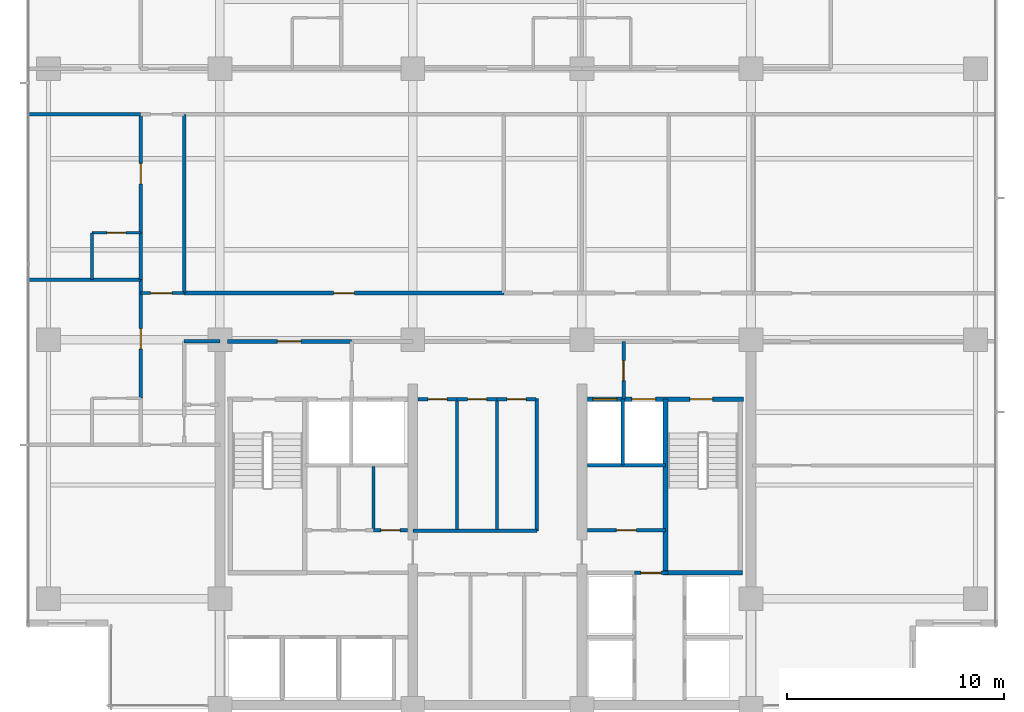
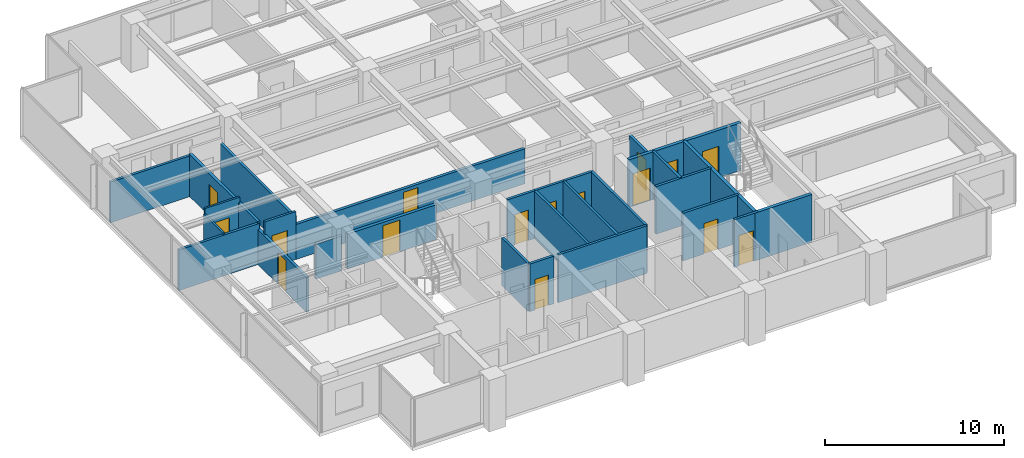
# One storey, part 8 of 15: 29 walls, 16 doors, 16 openings.
"""IFC4 building model written with IfcOpenShell, lengths in metres."""

from ifc_helpers import new_model, si_unit, direction, frame, frame_2d, origin, place, context, subcontext, project, spatial, rectangle, extrude, material, layer, layer_set, type_object, element, fill, save


model = new_model("IFC4")

# Units and contexts
model_context = context("Model", 3, precision=1e-05, world=origin(), true_north=direction((0.0, 1.0)))
body_context = subcontext(model_context, "Body", "Model", "MODEL_VIEW")
ifc_project = project(units=[si_unit("LENGTHUNIT", "METRE"), si_unit("AREAUNIT", "SQUARE_METRE"), si_unit("VOLUMEUNIT", "CUBIC_METRE"), si_unit("PLANEANGLEUNIT", "RADIAN"), si_unit("MASSUNIT", "GRAM", prefix="KILO")], contexts=[model_context])

# Site, building, storey
site_placement = place(None, origin())
site = spatial("IfcSite", under=ifc_project, at=site_placement, CompositionType="ELEMENT")
building_placement = place(site_placement, origin())
building = spatial("IfcBuilding", under=site, at=building_placement, Name="Qalmaran Belvedere Hotel", CompositionType="ELEMENT")
storey_placement = place(building_placement, frame((0.0, 0.0, 163.10009765625)))
storey = spatial("IfcBuildingStorey", under=building, at=storey_placement, Name="L41", CompositionType="ELEMENT", Elevation=163.10009765625)

# Wall, opening, door
ifc_material_1 = material(Name="Moisture-Resistant Gypsum")
ifc_layer_1 = layer(ifc_material_1, 0.1201171875, Name="Moisture-Resistant Gypsum")
ifc_layer_set_1 = layer_set([ifc_layer_1], Name="Moisture-Resistant Gypsum")
wall_type_1 = type_object("IfcWallType", Name="WL-INT-120-BATH", PredefinedType="PARTITIONING", material=ifc_layer_set_1)
wall_1_placement = place(storey_placement, frame((14.39990234375, 25.425048828125, 0.0), z_axis=(0.0, 0.0, 1.0), x_axis=(1.0, 0.0, 0.0)))
wall_1 = element("IfcWall", 1, at=wall_1_placement, inside=storey, type_object=wall_type_1, Name="L41 Partition WL-L41-WBN01", PredefinedType="PARTITIONING", context=body_context, shape_type="SweptSolid", body=[
    extrude(rectangle(XDim=2.25, YDim=0.1201171875, at=frame_2d((1.125, 0.0))), origin(), (0.0, 0.0, 1.0), 3.25),
])
opening_1_placement = place(wall_1_placement, frame((1.56494140625, 0.0, 0.0), z_axis=(0.0, 0.0, 1.0), x_axis=(-1.0, 0.0, 0.0)))
opening_1 = element("IfcOpeningElement", 2, at=opening_1_placement, cuts=wall_1, Name="Opening D-BATH", PredefinedType="OPENING", context=body_context, shape_type="SweptSolid", body=[
    extrude(rectangle(XDim=0.8798828125, YDim=2.080078125, at=frame_2d((0.43994140625, 1.0400390625))), frame((0.0, 0.070068359375, 0.0), z_axis=(0.0, -1.0, 0.0), x_axis=(1.0, 0.0, 0.0)), (0.0, 0.0, 1.0), 0.14013671875),
])
ifc_material_2 = material(Name="Engineered Oak Veneer")
door_type_1 = type_object("IfcDoorType", Name="DR-INT-BATH-880X2080", OperationType="NOTDEFINED", PredefinedType="DOOR", material=ifc_material_2)
door_1_placement = place(opening_1_placement, origin())
door_1 = element("IfcDoor", 3, at=door_1_placement, inside=storey, type_object=door_type_1, Name="L41 W Ensuite Door 02", OperationType="SINGLE_SWING_LEFT", OverallHeight=2.080078125, OverallWidth=0.8798828125, PredefinedType="DOOR", context=body_context, shape_type="SweptSolid", body=[
    extrude(rectangle(XDim=0.8798828125, YDim=2.080078125, at=frame_2d((0.43994140625, 1.0400390625))), frame((0.0, 0.02490234375, 0.0), z_axis=(0.0, -1.0, 0.0), x_axis=(1.0, 0.0, 0.0)), (0.0, 0.0, 1.0), 0.050048828125),
])
fill(opening_1, door_1)

# Walls
wall_2_placement = place(storey_placement, frame((14.39990234375, 23.27490234375, 0.0), z_axis=(0.0, 0.0, 1.0), x_axis=(0.0, 1.0, 0.0)))
element("IfcWall", 4, at=wall_2_placement, inside=storey, type_object=wall_type_1, Name="L41 Partition WL-L41-WBS01", PredefinedType="PARTITIONING", context=body_context, shape_type="SweptSolid", body=[
    extrude(rectangle(XDim=2.150146484375, YDim=0.1201171875, at=frame_2d((1.0751953125, 0.0))), origin(), (0.0, 0.0, 1.0), 2.880859375),
])
ifc_material_3 = material(Name="Gypsum Stud Partition")
ifc_layer_2 = layer(ifc_material_3, 0.14990234375, Name="Gypsum Stud Partition")
ifc_layer_set_2 = layer_set([ifc_layer_2], Name="Gypsum Stud Partition")
wall_type_2 = type_object("IfcWallType", Name="WL-INT-150-EI120", PredefinedType="PARTITIONING", material=ifc_layer_set_2)
wall_3_placement = place(storey_placement, frame((38.8798828125, 14.719970703125, 0.0), z_axis=(0.0, 0.0, 1.0), x_axis=(0.0, 1.0, 0.0)))
element("IfcWall", 5, at=wall_3_placement, inside=storey, type_object=wall_type_2, Name="L41 Partition WL-FF2M-L41", PredefinedType="PARTITIONING", context=body_context, shape_type="SweptSolid", body=[
    extrude(rectangle(XDim=3.0400390625, YDim=0.14990234375, at=frame_2d((1.52001953125, 0.0))), origin(), (0.0, 0.0, 1.0), 3.25),
])
ifc_layer_3 = layer(ifc_material_3, 0.14990234375, Name="Gypsum Stud Partition")
ifc_layer_set_3 = layer_set([ifc_layer_3], Name="Gypsum Stud Partition")
wall_type_3 = type_object("IfcWallType", Name="WL-INT-150-EI60", PredefinedType="PARTITIONING", material=ifc_layer_set_3)
wall_4_placement = place(storey_placement, frame((27.38916015625, 11.719970703125, 0.0), z_axis=(0.0, 0.0, 1.0), x_axis=(0.0, 1.0, 0.0)))
element("IfcWall", 6, at=wall_4_placement, inside=storey, type_object=wall_type_3, Name="L41 Partition WL-L41-KWV2", PredefinedType="PARTITIONING", context=body_context, shape_type="SweptSolid", body=[
    extrude(rectangle(XDim=2.929931640625, YDim=0.14990234375, at=frame_2d((1.46484375, 0.0))), origin(), (0.0, 0.0, 1.0), 3.25),
])
for number, where, z_axis, x_axis, name in (
    (7, (31.241943359375, 11.739990234375, 0.0), (0.0, 0.0, 1.0), (0.0, 1.0, 0.0), "L41 Partition WL-L41-KPMV1"),
    (8, (33.088134765625, 11.739990234375, 0.0), (0.0, 0.0, 1.0), (0.0, 1.0, 0.0), "L41 Partition WL-L41-KPMV2"),
):
    element("IfcWall", number, at=place(storey_placement, frame(where, z_axis=z_axis, x_axis=x_axis)), inside=storey, type_object=wall_type_3, Name=name, PredefinedType="PARTITIONING", context=body_context, shape_type="SweptSolid", body=[
        extrude(rectangle(XDim=6.010009765625, YDim=0.14990234375, at=frame_2d((3.0048828125, 0.0))), origin(), (0.0, 0.0, 1.0), 3.25),
    ])

# Wall, opening, door
wall_5_placement = place(storey_placement, frame((16.64990234375, 22.64990234375, 0.0), z_axis=(0.0, 0.0, 1.0), x_axis=(1.0, 0.0, 0.0)))
wall_5 = element("IfcWall", 9, at=wall_5_placement, inside=storey, type_object=wall_type_3, Name="L41 Partition WL-L41-XCW1", PredefinedType="PARTITIONING", context=body_context, shape_type="SweptSolid", body=[
    extrude(rectangle(XDim=2.0, YDim=0.14990234375, at=frame_2d((1.0, 0.0))), origin(), (0.0, 0.0, 1.0), 3.25),
])
opening_2_placement = place(wall_5_placement, frame((0.449951171875, 0.0, 0.0)))
opening_2 = element("IfcOpeningElement", 10, at=opening_2_placement, cuts=wall_5, Name="Opening FD90B", PredefinedType="OPENING", context=body_context, shape_type="SweptSolid", body=[
    extrude(rectangle(XDim=1.0, YDim=2.14990234375, at=frame_2d((0.5, 1.074951171875))), frame((0.0, 0.0849609375, 0.0), z_axis=(0.0, -1.0, 0.0), x_axis=(1.0, 0.0, 0.0)), (0.0, 0.0, 1.0), 0.169921875),
])
ifc_material_4 = material(Name="Steel S355JR", Category="steel")
door_type_2 = type_object("IfcDoorType", Name="DR-FD90B-1000X2150", OperationType="NOTDEFINED", PredefinedType="DOOR", material=ifc_material_4)
door_2_placement = place(opening_2_placement, origin())
door_2 = element("IfcDoor", 11, at=door_2_placement, inside=storey, type_object=door_type_2, Name="L41 West Corridor Smoke Door S", OperationType="SINGLE_SWING_LEFT", OverallHeight=2.14990234375, OverallWidth=1.0, PredefinedType="DOOR", context=body_context, shape_type="SweptSolid", body=[
    extrude(rectangle(XDim=1.0, YDim=2.14990234375, at=frame_2d((0.5, 1.074951171875))), frame((0.0, 0.02490234375, 0.0), z_axis=(0.0, -1.0, 0.0), x_axis=(1.0, 0.0, 0.0)), (0.0, 0.0, 1.0), 0.050048828125),
])
fill(opening_2, door_2)

ifc_layer_4 = layer(ifc_material_3, 0.159912109375, Name="Gypsum Stud Partition")
ifc_layer_set_4 = layer_set([ifc_layer_4], Name="Gypsum Stud Partition")
wall_type_4 = type_object("IfcWallType", Name="WL-INT-160-EI120", PredefinedType="PARTITIONING", material=ifc_layer_set_4)
wall_6_placement = place(storey_placement, frame((38.919921875, 17.760009765625, 0.0), z_axis=(0.0, 0.0, 1.0), x_axis=(0.0, 1.0, 0.0)))
wall_6 = element("IfcWall", 12, at=wall_6_placement, inside=storey, type_object=wall_type_4, Name="L41 Partition WL-FFSV2-L41", PredefinedType="PARTITIONING", context=body_context, shape_type="SweptSolid", body=[
    extrude(rectangle(XDim=2.659912109375, YDim=0.159912109375, at=frame_2d((1.330078125, 0.0))), origin(), (0.0, 0.0, 1.0), 2.69189453125),
])
opening_3_placement = place(wall_6_placement, frame((1.77001953125, 0.0, 0.0), z_axis=(0.0, 0.0, 1.0), x_axis=(-1.0, 0.0, 0.0)))
opening_3 = element("IfcOpeningElement", 13, at=opening_3_placement, cuts=wall_6, Name="Opening FD60S1", PredefinedType="OPENING", context=body_context, shape_type="SweptSolid", body=[
    extrude(rectangle(XDim=0.919921875, YDim=2.080078125, at=frame_2d((0.4599609375, 1.0400390625))), frame((0.0, 0.08984375, 0.0), z_axis=(0.0, -1.0, 0.0), x_axis=(1.0, 0.0, 0.0)), (0.0, 0.0, 1.0), 0.179931640625),
])
door_type_3 = type_object("IfcDoorType", Name="DR-FD60S-920X2080", OperationType="NOTDEFINED", PredefinedType="DOOR", material=ifc_material_2)
door_3_placement = place(opening_3_placement, origin())
door_3 = element("IfcDoor", 14, at=door_3_placement, inside=storey, type_object=door_type_3, Name="L41 Service Lobby East Door", OperationType="SINGLE_SWING_RIGHT", OverallHeight=2.080078125, OverallWidth=0.919921875, PredefinedType="DOOR", context=body_context, shape_type="SweptSolid", body=[
    extrude(rectangle(XDim=0.919921875, YDim=2.080078125, at=frame_2d((0.4599609375, 1.0400390625))), frame((0.0, 0.02490234375, 0.0), z_axis=(0.0, -1.0, 0.0), x_axis=(1.0, 0.0, 0.0)), (0.0, 0.0, 1.0), 0.050048828125),
])
fill(opening_3, door_3)

# Wall
wall_7_placement = place(storey_placement, frame((37.25, 14.719970703125, 0.0), z_axis=(0.0, 0.0, 1.0), x_axis=(1.0, 0.0, 0.0)))
element("IfcWall", 15, at=wall_7_placement, inside=storey, type_object=wall_type_4, Name="L41 Partition WL-FF2S-L41", PredefinedType="PARTITIONING", context=body_context, shape_type="SweptSolid", body=[
    extrude(rectangle(XDim=3.610107421875, YDim=0.159912109375, at=frame_2d((1.80517578125, 0.0))), origin(), (0.0, 0.0, 1.0), 3.25),
])

# Wall, opening, door
wall_8_placement = place(storey_placement, frame((39.419921875, 9.739990234375, 0.0), z_axis=(0.0, 0.0, 1.0), x_axis=(1.0, 0.0, 0.0)))
wall_8 = element("IfcWall", 16, at=wall_8_placement, inside=storey, type_object=wall_type_4, Name="L41 Partition WL-PHNL-L41", PredefinedType="PARTITIONING", context=body_context, shape_type="SweptSolid", body=[
    extrude(rectangle(XDim=1.56005859375, YDim=0.159912109375, at=frame_2d((0.780029296875, 0.0))), origin(), (0.0, 0.0, 1.0), 3.25),
])
opening_4_placement = place(wall_8_placement, frame((0.300048828125, 0.0, 0.0)))
opening_4 = element("IfcOpeningElement", 17, at=opening_4_placement, cuts=wall_8, Name="Opening FD60S1", PredefinedType="OPENING", context=body_context, shape_type="SweptSolid", body=[
    extrude(rectangle(XDim=0.919921875, YDim=2.080078125, at=frame_2d((0.4599609375, 1.0400390625))), frame((0.0, 0.08984375, 0.0), z_axis=(0.0, -1.0, 0.0), x_axis=(1.0, 0.0, 0.0)), (0.0, 0.0, 1.0), 0.179931640625),
])
door_4_placement = place(opening_4_placement, origin())
door_4 = element("IfcDoor", 18, at=door_4_placement, inside=storey, type_object=door_type_3, Name="L41 High-Rise Lift Lobby Passage Door", OperationType="SINGLE_SWING_LEFT", OverallHeight=2.080078125, OverallWidth=0.919921875, PredefinedType="DOOR", context=body_context, shape_type="SweptSolid", body=[
    extrude(rectangle(XDim=0.919921875, YDim=2.080078125, at=frame_2d((0.4599609375, 1.0400390625))), frame((0.0, 0.02490234375, 0.0), z_axis=(0.0, -1.0, 0.0), x_axis=(1.0, 0.0, 0.0)), (0.0, 0.0, 1.0), 0.050048828125),
])
fill(opening_4, door_4)

ifc_layer_5 = layer(ifc_material_3, 0.159912109375, Name="Gypsum Stud Partition")
ifc_layer_set_5 = layer_set([ifc_layer_5], Name="Gypsum Stud Partition")
wall_type_5 = type_object("IfcWallType", Name="WL-INT-160-EI60", PredefinedType="PARTITIONING", material=ifc_layer_set_5)
wall_9_placement = place(storey_placement, frame((27.38916015625, 11.719970703125, 0.0), z_axis=(0.0, 0.0, 1.0), x_axis=(1.0, 0.0, 0.0)))
wall_9 = element("IfcWall", 19, at=wall_9_placement, inside=storey, type_object=wall_type_5, Name="L41 Partition WL-L41-KWE3", PredefinedType="PARTITIONING", context=body_context, shape_type="SweptSolid", body=[
    extrude(rectangle(XDim=1.560791015625, YDim=0.159912109375, at=frame_2d((0.7802734375, 0.0))), origin(), (0.0, 0.0, 1.0), 3.25),
])
opening_5_placement = place(wall_9_placement, frame((0.340576171875, 0.0, 0.0)))
opening_5 = element("IfcOpeningElement", 20, at=opening_5_placement, cuts=wall_9, Name="Opening FD60B", PredefinedType="OPENING", context=body_context, shape_type="SweptSolid", body=[
    extrude(rectangle(XDim=0.8798828125, YDim=2.080078125, at=frame_2d((0.43994140625, 1.0400390625))), frame((0.0, 0.08984375, 0.0), z_axis=(0.0, -1.0, 0.0), x_axis=(1.0, 0.0, 0.0)), (0.0, 0.0, 1.0), 0.179931640625),
])
door_type_4 = type_object("IfcDoorType", Name="DR-FD60B-880X2080", OperationType="NOTDEFINED", PredefinedType="DOOR", material=ifc_material_4)
door_5_placement = place(opening_5_placement, origin())
door_5 = element("IfcDoor", 21, at=door_5_placement, inside=storey, type_object=door_type_4, Name="L41 Telecom and IT Room Door", OperationType="SINGLE_SWING_RIGHT", OverallHeight=2.080078125, OverallWidth=0.8798828125, PredefinedType="DOOR", context=body_context, shape_type="SweptSolid", body=[
    extrude(rectangle(XDim=0.8798828125, YDim=2.080078125, at=frame_2d((0.43994140625, 1.0400390625))), frame((0.0, 0.02490234375, 0.0), z_axis=(0.0, -1.0, 0.0), x_axis=(1.0, 0.0, 0.0)), (0.0, 0.0, 1.0), 0.050048828125),
])
fill(opening_5, door_5)

wall_10_placement = place(storey_placement, frame((37.25, 11.719970703125, 0.0), z_axis=(0.0, 0.0, 1.0), x_axis=(1.0, 0.0, 0.0)))
wall_10 = element("IfcWall", 22, at=wall_10_placement, inside=storey, type_object=wall_type_5, Name="L41 Partition WL-L41-KEE1", PredefinedType="PARTITIONING", context=body_context, shape_type="SweptSolid", body=[
    extrude(rectangle(XDim=3.610107421875, YDim=0.159912109375, at=frame_2d((1.80517578125, 0.0))), origin(), (0.0, 0.0, 1.0), 3.25),
])
opening_6_placement = place(wall_10_placement, frame((1.344970703125, 0.0, 0.0)))
opening_6 = element("IfcOpeningElement", 23, at=opening_6_placement, cuts=wall_10, Name="Opening FD60S1", PredefinedType="OPENING", context=body_context, shape_type="SweptSolid", body=[
    extrude(rectangle(XDim=0.919921875, YDim=2.080078125, at=frame_2d((0.4599609375, 1.0400390625))), frame((0.0, 0.08984375, 0.0), z_axis=(0.0, -1.0, 0.0), x_axis=(1.0, 0.0, 0.0)), (0.0, 0.0, 1.0), 0.179931640625),
])
door_6_placement = place(opening_6_placement, origin())
door_6 = element("IfcDoor", 24, at=door_6_placement, inside=storey, type_object=door_type_3, Name="L41 Guest Ice and Beverage Pantry Door", OperationType="SINGLE_SWING_LEFT", OverallHeight=2.080078125, OverallWidth=0.919921875, PredefinedType="DOOR", context=body_context, shape_type="SweptSolid", body=[
    extrude(rectangle(XDim=0.919921875, YDim=2.080078125, at=frame_2d((0.4599609375, 1.0400390625))), frame((0.0, 0.02490234375, 0.0), z_axis=(0.0, -1.0, 0.0), x_axis=(1.0, 0.0, 0.0)), (0.0, 0.0, 1.0), 0.050048828125),
])
fill(opening_6, door_6)

# Walls
wall_11_placement = place(storey_placement, frame((34.919921875, 11.679931640625, 0.0), z_axis=(0.0, 0.0, 1.0), x_axis=(0.0, 1.0, 0.0)))
element("IfcWall", 25, at=wall_11_placement, inside=storey, type_object=wall_type_5, Name="L41 Partition WL-CLLV-L41", PredefinedType="PARTITIONING", context=body_context, shape_type="SweptSolid", body=[
    extrude(rectangle(XDim=6.10009765625, YDim=0.159912109375, at=frame_2d((3.050048828125, 0.0))), origin(), (0.0, 0.0, 1.0), 3.25),
])
wall_12_placement = place(storey_placement, frame((29.199951171875, 11.679931640625, 0.0), z_axis=(0.0, 0.0, 1.0), x_axis=(1.0, 0.0, 0.0)))
element("IfcWall", 26, at=wall_12_placement, inside=storey, type_object=wall_type_5, Name="L41 Partition WL-PMFS-L41", PredefinedType="PARTITIONING", context=body_context, shape_type="SweptSolid", body=[
    extrude(rectangle(XDim=5.719970703125, YDim=0.159912109375, at=frame_2d((2.85986328125, 0.0))), origin(), (0.0, 0.0, 1.0), 3.25),
])

# Wall, opening, door
wall_13_placement = place(storey_placement, frame((29.449951171875, 17.75, 0.0), z_axis=(0.0, 0.0, 1.0), x_axis=(1.0, 0.0, 0.0)))
wall_13 = element("IfcWall", 27, at=wall_13_placement, inside=storey, type_object=wall_type_5, Name="L41 Partition WL-L41-KPME1", PredefinedType="PARTITIONING", context=body_context, shape_type="SweptSolid", body=[
    extrude(rectangle(XDim=1.7919921875, YDim=0.159912109375, at=frame_2d((0.89599609375, 0.0))), origin(), (0.0, 0.0, 1.0), 3.25),
])
opening_7_placement = place(wall_13_placement, frame((1.3359375, 0.0, 0.0), z_axis=(0.0, 0.0, 1.0), x_axis=(-1.0, 0.0, 0.0)))
opening_7 = element("IfcOpeningElement", 28, at=opening_7_placement, cuts=wall_13, Name="Opening FD60B", PredefinedType="OPENING", context=body_context, shape_type="SweptSolid", body=[
    extrude(rectangle(XDim=0.8798828125, YDim=2.080078125, at=frame_2d((0.43994140625, 1.0400390625))), frame((0.0, 0.08984375, 0.0), z_axis=(0.0, -1.0, 0.0), x_axis=(1.0, 0.0, 0.0)), (0.0, 0.0, 1.0), 0.179931640625),
])
door_7_placement = place(opening_7_placement, origin())
door_7 = element("IfcDoor", 29, at=door_7_placement, inside=storey, type_object=door_type_4, Name="L41 Executive Butler Pantry Door", OperationType="SINGLE_SWING_LEFT", OverallHeight=2.080078125, OverallWidth=0.8798828125, PredefinedType="DOOR", context=body_context, shape_type="SweptSolid", body=[
    extrude(rectangle(XDim=0.8798828125, YDim=2.080078125, at=frame_2d((0.43994140625, 1.0400390625))), frame((0.0, 0.02490234375, 0.0), z_axis=(0.0, -1.0, 0.0), x_axis=(1.0, 0.0, 0.0)), (0.0, 0.0, 1.0), 0.050048828125),
])
fill(opening_7, door_7)

wall_14_placement = place(storey_placement, frame((31.241943359375, 17.75, 0.0), z_axis=(0.0, 0.0, 1.0), x_axis=(1.0, 0.0, 0.0)))
wall_14 = element("IfcWall", 30, at=wall_14_placement, inside=storey, type_object=wall_type_5, Name="L41 Partition WL-L41-KPME2", PredefinedType="PARTITIONING", context=body_context, shape_type="SweptSolid", body=[
    extrude(rectangle(XDim=1.84619140625, YDim=0.159912109375, at=frame_2d((0.923095703125, 0.0))), origin(), (0.0, 0.0, 1.0), 3.25),
])
opening_8_placement = place(wall_14_placement, frame((1.363037109375, 0.0, 0.0), z_axis=(0.0, 0.0, 1.0), x_axis=(-1.0, 0.0, 0.0)))
opening_8 = element("IfcOpeningElement", 31, at=opening_8_placement, cuts=wall_14, Name="Opening FD60B", PredefinedType="OPENING", context=body_context, shape_type="SweptSolid", body=[
    extrude(rectangle(XDim=0.8798828125, YDim=2.080078125, at=frame_2d((0.43994140625, 1.0400390625))), frame((0.0, 0.08984375, 0.0), z_axis=(0.0, -1.0, 0.0), x_axis=(1.0, 0.0, 0.0)), (0.0, 0.0, 1.0), 0.179931640625),
])
door_8_placement = place(opening_8_placement, origin())
door_8 = element("IfcDoor", 32, at=door_8_placement, inside=storey, type_object=door_type_4, Name="L41 Floor Linen Supply Store Door", OperationType="SINGLE_SWING_RIGHT", OverallHeight=2.080078125, OverallWidth=0.8798828125, PredefinedType="DOOR", context=body_context, shape_type="SweptSolid", body=[
    extrude(rectangle(XDim=0.8798828125, YDim=2.080078125, at=frame_2d((0.43994140625, 1.0400390625))), frame((0.0, 0.02490234375, 0.0), z_axis=(0.0, -1.0, 0.0), x_axis=(1.0, 0.0, 0.0)), (0.0, 0.0, 1.0), 0.050048828125),
])
fill(opening_8, door_8)

wall_15_placement = place(storey_placement, frame((33.088134765625, 17.75, 0.0), z_axis=(0.0, 0.0, 1.0), x_axis=(1.0, 0.0, 0.0)))
wall_15 = element("IfcWall", 33, at=wall_15_placement, inside=storey, type_object=wall_type_5, Name="L41 Partition WL-L41-KPME3", PredefinedType="PARTITIONING", context=body_context, shape_type="SweptSolid", body=[
    extrude(rectangle(XDim=1.791748046875, YDim=0.159912109375, at=frame_2d((0.89599609375, 0.0))), origin(), (0.0, 0.0, 1.0), 3.25),
])
opening_9_placement = place(wall_15_placement, frame((1.3359375, 0.0, 0.0), z_axis=(0.0, 0.0, 1.0), x_axis=(-1.0, 0.0, 0.0)))
opening_9 = element("IfcOpeningElement", 34, at=opening_9_placement, cuts=wall_15, Name="Opening FD60B", PredefinedType="OPENING", context=body_context, shape_type="SweptSolid", body=[
    extrude(rectangle(XDim=0.8798828125, YDim=2.080078125, at=frame_2d((0.43994140625, 1.0400390625))), frame((0.0, 0.08984375, 0.0), z_axis=(0.0, -1.0, 0.0), x_axis=(1.0, 0.0, 0.0)), (0.0, 0.0, 1.0), 0.179931640625),
])
door_9_placement = place(opening_9_placement, origin())
door_9 = element("IfcDoor", 35, at=door_9_placement, inside=storey, type_object=door_type_4, Name="L41 Core Tableware Store Door", OperationType="SINGLE_SWING_LEFT", OverallHeight=2.080078125, OverallWidth=0.8798828125, PredefinedType="DOOR", context=body_context, shape_type="SweptSolid", body=[
    extrude(rectangle(XDim=0.8798828125, YDim=2.080078125, at=frame_2d((0.43994140625, 1.0400390625))), frame((0.0, 0.02490234375, 0.0), z_axis=(0.0, -1.0, 0.0), x_axis=(1.0, 0.0, 0.0)), (0.0, 0.0, 1.0), 0.050048828125),
])
fill(opening_9, door_9)

# Walls
wall_16_placement = place(storey_placement, frame((18.64990234375, 20.419921875, 0.0), z_axis=(0.0, 0.0, 1.0), x_axis=(1.0, 0.0, 0.0)))
element("IfcWall", 36, at=wall_16_placement, inside=storey, type_object=wall_type_5, Name="L41 Partition WL-L41-WCLN", PredefinedType="PARTITIONING", context=body_context, shape_type="SweptSolid", body=[
    extrude(rectangle(XDim=1.650146484375, YDim=0.159912109375, at=frame_2d((0.8251953125, 0.0))), origin(), (0.0, 0.0, 1.0), 2.3798828125),
])
wall_17_placement = place(storey_placement, frame((18.64990234375, 22.64990234375, 0.0), z_axis=(0.0, 0.0, 1.0), x_axis=(0.0, 1.0, 0.0)))
element("IfcWall", 37, at=wall_17_placement, inside=storey, type_object=wall_type_5, Name="L41 Partition WL-L41-MIDVL", PredefinedType="PARTITIONING", context=body_context, shape_type="SweptSolid", body=[
    extrude(rectangle(XDim=8.25, YDim=0.159912109375, at=frame_2d((4.125, 0.0))), origin(), (0.0, 0.0, 1.0), 2.880859375),
])
for number, where, z_axis, x_axis, name in (
    (38, (11.469970703125, 23.27490234375, 0.0), (0.0, 0.0, 1.0), (1.0, 0.0, 0.0), "L41 Partition WL-L41-WU00"),
    (39, (11.469970703125, 30.89990234375, 0.0), (0.0, 0.0, 1.0), (1.0, 0.0, 0.0), "L41 Partition WL-L41-WU01"),
):
    element("IfcWall", number, at=place(storey_placement, frame(where, z_axis=z_axis, x_axis=x_axis)), inside=storey, type_object=wall_type_5, Name=name, PredefinedType="PARTITIONING", context=body_context, shape_type="SweptSolid", body=[
        extrude(rectangle(XDim=5.179931640625, YDim=0.159912109375, at=frame_2d((2.58984375, 0.0))), origin(), (0.0, 0.0, 1.0), 2.77197265625),
    ])

# Wall, opening, door
ifc_layer_6 = layer(ifc_material_3, 0.179931640625, Name="Gypsum Stud Partition")
ifc_layer_set_6 = layer_set([ifc_layer_6], Name="Gypsum Stud Partition")
wall_type_6 = type_object("IfcWallType", Name="WL-INT-180-EI60", PredefinedType="PARTITIONING", material=ifc_layer_set_6)
wall_18_placement = place(storey_placement, frame((18.64990234375, 22.64990234375, 0.0), z_axis=(0.0, 0.0, 1.0), x_axis=(1.0, 0.0, 0.0)))
wall_18 = element("IfcWall", 40, at=wall_18_placement, inside=storey, type_object=wall_type_6, Name="L41 Partition WL-L41-MIDD1", PredefinedType="PARTITIONING", context=body_context, shape_type="SweptSolid", body=[
    extrude(rectangle(XDim=14.75, YDim=0.179931640625, at=frame_2d((7.375, 0.0))), origin(), (0.0, 0.0, 1.0), 2.3798828125),
])
opening_10_placement = place(wall_18_placement, frame((6.89990234375, 0.0, 0.0)))
opening_10 = element("IfcOpeningElement", 41, at=opening_10_placement, cuts=wall_18, Name="Opening FD60", PredefinedType="OPENING", context=body_context, shape_type="SweptSolid", body=[
    extrude(rectangle(XDim=0.949951171875, YDim=2.14990234375, at=frame_2d((0.47509765625, 1.074951171875))), frame((0.0, 0.10009765625, 0.0), z_axis=(0.0, -1.0, 0.0), x_axis=(1.0, 0.0, 0.0)), (0.0, 0.0, 1.0), 0.199951171875),
])
door_type_5 = type_object("IfcDoorType", Name="DR-FD60-950X2150", OperationType="NOTDEFINED", PredefinedType="DOOR", material=ifc_material_2)
door_10_placement = place(opening_10_placement, origin())
door_10 = element("IfcDoor", 42, at=door_10_placement, inside=storey, type_object=door_type_5, Name="L41 Housekeeping and Linen Room Door", OperationType="SINGLE_SWING_LEFT", OverallHeight=2.14990234375, OverallWidth=0.949951171875, PredefinedType="DOOR", context=body_context, shape_type="SweptSolid", body=[
    extrude(rectangle(XDim=0.949951171875, YDim=2.14990234375, at=frame_2d((0.47509765625, 1.074951171875))), frame((0.0, 0.02490234375, 0.0), z_axis=(0.0, -1.0, 0.0), x_axis=(1.0, 0.0, 0.0)), (0.0, 0.0, 1.0), 0.050048828125),
])
fill(opening_10, door_10)

wall_19_placement = place(storey_placement, frame((16.64990234375, 17.800048828125, 0.0), z_axis=(0.0, 0.0, 1.0), x_axis=(0.0, 1.0, 0.0)))
wall_19 = element("IfcWall", 43, at=wall_19_placement, inside=storey, type_object=wall_type_6, Name="L41 Partition WL-L41-WEC00", PredefinedType="PARTITIONING", context=body_context, shape_type="SweptSolid", body=[
    extrude(rectangle(XDim=5.474853515625, YDim=0.179931640625, at=frame_2d((2.7373046875, 0.0))), origin(), (0.0, 0.0, 1.0), 2.3798828125),
])
opening_11_placement = place(wall_19_placement, frame((2.262451171875, 0.0, 0.0)))
opening_11 = element("IfcOpeningElement", 44, at=opening_11_placement, cuts=wall_19, Name="Opening FD60", PredefinedType="OPENING", context=body_context, shape_type="SweptSolid", body=[
    extrude(rectangle(XDim=0.949951171875, YDim=2.14990234375, at=frame_2d((0.47509765625, 1.074951171875))), frame((0.0, 0.10009765625, 0.0), z_axis=(0.0, -1.0, 0.0), x_axis=(1.0, 0.0, 0.0)), (0.0, 0.0, 1.0), 0.199951171875),
])
door_11_placement = place(opening_11_placement, origin())
door_11 = element("IfcDoor", 45, at=door_11_placement, inside=storey, type_object=door_type_5, Name="L41 W Wing Door 01", OperationType="SINGLE_SWING_RIGHT", OverallHeight=2.14990234375, OverallWidth=0.949951171875, PredefinedType="DOOR", context=body_context, shape_type="SweptSolid", body=[
    extrude(rectangle(XDim=0.949951171875, YDim=2.14990234375, at=frame_2d((0.47509765625, 1.074951171875))), frame((0.0, 0.02490234375, 0.0), z_axis=(0.0, -1.0, 0.0), x_axis=(1.0, 0.0, 0.0)), (0.0, 0.0, 1.0), 0.050048828125),
])
fill(opening_11, door_11)

# Wall
wall_20_placement = place(storey_placement, frame((16.64990234375, 23.27490234375, 0.0), z_axis=(0.0, 0.0, 1.0), x_axis=(0.0, 1.0, 0.0)))
element("IfcWall", 46, at=wall_20_placement, inside=storey, type_object=wall_type_6, Name="L41 Partition WL-L41-WBC01", PredefinedType="PARTITIONING", context=body_context, shape_type="SweptSolid", body=[
    extrude(rectangle(XDim=2.150146484375, YDim=0.179931640625, at=frame_2d((1.0751953125, 0.0))), origin(), (0.0, 0.0, 1.0), 2.880859375),
])

# Wall, opening, door
wall_21_placement = place(storey_placement, frame((16.64990234375, 25.425048828125, 0.0), z_axis=(0.0, 0.0, 1.0), x_axis=(0.0, 1.0, 0.0)))
wall_21 = element("IfcWall", 47, at=wall_21_placement, inside=storey, type_object=wall_type_6, Name="L41 Partition WL-L41-WEC01", PredefinedType="PARTITIONING", context=body_context, shape_type="SweptSolid", body=[
    extrude(rectangle(XDim=5.474853515625, YDim=0.179931640625, at=frame_2d((2.7373046875, 0.0))), origin(), (0.0, 0.0, 1.0), 2.880859375),
])
opening_12_placement = place(wall_21_placement, frame((2.262451171875, 0.0, 0.0)))
opening_12 = element("IfcOpeningElement", 48, at=opening_12_placement, cuts=wall_21, Name="Opening FD60", PredefinedType="OPENING", context=body_context, shape_type="SweptSolid", body=[
    extrude(rectangle(XDim=0.949951171875, YDim=2.14990234375, at=frame_2d((0.47509765625, 1.074951171875))), frame((0.0, 0.10009765625, 0.0), z_axis=(0.0, -1.0, 0.0), x_axis=(1.0, 0.0, 0.0)), (0.0, 0.0, 1.0), 0.199951171875),
])
door_12_placement = place(opening_12_placement, origin())
door_12 = element("IfcDoor", 49, at=door_12_placement, inside=storey, type_object=door_type_5, Name="L41 W Wing Door 02", OperationType="SINGLE_SWING_RIGHT", OverallHeight=2.14990234375, OverallWidth=0.949951171875, PredefinedType="DOOR", context=body_context, shape_type="SweptSolid", body=[
    extrude(rectangle(XDim=0.949951171875, YDim=2.14990234375, at=frame_2d((0.47509765625, 1.074951171875))), frame((0.0, 0.02490234375, 0.0), z_axis=(0.0, -1.0, 0.0), x_axis=(1.0, 0.0, 0.0)), (0.0, 0.0, 1.0), 0.050048828125),
])
fill(opening_12, door_12)

ifc_material_5 = material(Name="Concrete C30/37 Blockwork", Category="masonry")
ifc_layer_7 = layer(ifc_material_5, 0.199951171875, Name="Concrete C30/37 Blockwork")
ifc_layer_set_7 = layer_set([ifc_layer_7], Name="Concrete C30/37 Blockwork")
wall_type_7 = type_object("IfcWallType", Name="WL-INT-200-EI120", PredefinedType="PARTITIONING", material=ifc_layer_set_7)
wall_22_placement = place(storey_placement, frame((20.64990234375, 20.419921875, 0.0), z_axis=(0.0, 0.0, 1.0), x_axis=(1.0, 0.0, 0.0)))
wall_22 = element("IfcWall", 50, at=wall_22_placement, inside=storey, type_object=wall_type_7, Name="L41 Partition WL-CN1A-L41", PredefinedType="PARTITIONING", context=body_context, shape_type="SweptSolid", body=[
    extrude(rectangle(XDim=5.72998046875, YDim=0.199951171875, at=frame_2d((2.864990234375, 0.0))), origin(), (0.0, 0.0, 1.0), 2.3798828125),
])
opening_13_placement = place(wall_22_placement, frame((2.300048828125, 0.0, 0.0)))
opening_13 = element("IfcOpeningElement", 51, at=opening_13_placement, cuts=wall_22, Name="Opening FD90", PredefinedType="OPENING", context=body_context, shape_type="SweptSolid", body=[
    extrude(rectangle(XDim=1.10009765625, YDim=2.14990234375, at=frame_2d((0.550048828125, 1.074951171875))), frame((0.0, 0.10986328125, 0.0), z_axis=(0.0, -1.0, 0.0), x_axis=(1.0, 0.0, 0.0)), (0.0, 0.0, 1.0), 0.219970703125),
])
door_type_6 = type_object("IfcDoorType", Name="DR-FD90-1100X2150", OperationType="NOTDEFINED", PredefinedType="DOOR", material=ifc_material_4)
door_13_placement = place(opening_13_placement, origin())
door_13 = element("IfcDoor", 52, at=door_13_placement, inside=storey, type_object=door_type_6, Name="L41 FF1 Lobby Corridor Door", OperationType="SINGLE_SWING_LEFT", OverallHeight=2.14990234375, OverallWidth=1.10009765625, PredefinedType="DOOR", context=body_context, shape_type="SweptSolid", body=[
    extrude(rectangle(XDim=1.10009765625, YDim=2.14990234375, at=frame_2d((0.550048828125, 1.074951171875))), frame((0.0, 0.02490234375, 0.0), z_axis=(0.0, -1.0, 0.0), x_axis=(1.0, 0.0, 0.0)), (0.0, 0.0, 1.0), 0.050048828125),
])
fill(opening_13, door_13)

# Walls
ifc_material_6 = material(Name="Concrete C50/60", Category="concrete")
ifc_layer_8 = layer(ifc_material_6, 0.2099609375, Name="Concrete C50/60")
ifc_layer_set_8 = layer_set([ifc_layer_8], Name="Concrete C50/60")
wall_type_8 = type_object("IfcWallType", Name="WL-STAIR-210-C50", PredefinedType="SHEAR", material=ifc_layer_set_8)
wall_23_placement = place(storey_placement, frame((40.85498046875, 9.7451171875, 0.0), z_axis=(0.0, 0.0, 1.0), x_axis=(0.0, 1.0, 0.0)))
element("IfcWall", 53, at=wall_23_placement, inside=storey, type_object=wall_type_8, Name="L41 Stair ST-2 West Bearing Wall", PredefinedType="SHEAR", context=body_context, shape_type="SweptSolid", body=[
    extrude(rectangle(XDim=8.009765625, YDim=0.2099609375, at=frame_2d((4.0048828125, 0.0))), origin(), (0.0, 0.0, 1.0), 3.25),
])
wall_24_placement = place(storey_placement, frame((40.75, 9.7451171875, 0.0), z_axis=(0.0, 0.0, 1.0), x_axis=(1.0, 0.0, 0.0)))
element("IfcWall", 54, at=wall_24_placement, inside=storey, type_object=wall_type_8, Name="L41 Stair ST-2 South Bearing Wall", PredefinedType="SHEAR", context=body_context, shape_type="SweptSolid", body=[
    extrude(rectangle(XDim=3.659912109375, YDim=0.2099609375, at=frame_2d((1.830078125, 0.0))), origin(), (0.0, 0.0, 1.0), 3.25),
])

# Wall, openings, doors
wall_25_placement = place(storey_placement, frame((37.25, 17.7548828125, 0.0), z_axis=(0.0, 0.0, 1.0), x_axis=(1.0, 0.0, 0.0)))
wall_25 = element("IfcWall", 55, at=wall_25_placement, inside=storey, type_object=wall_type_8, Name="L41 East Lobby and Stair ST-2 North Bearing Wall", PredefinedType="SHEAR", context=body_context, shape_type="SweptSolid", body=[
    extrude(rectangle(XDim=7.199951171875, YDim=0.2099609375, at=frame_2d((3.60009765625, 0.0))), origin(), (0.0, 0.0, 1.0), 3.25),
])
opening_14_placement = place(wall_25_placement, frame((0.25, 0.0, 0.0)))
opening_14 = element("IfcOpeningElement", 56, at=opening_14_placement, cuts=wall_25, Name="Opening LD-SV", PredefinedType="OPENING", context=body_context, shape_type="SweptSolid", body=[
    extrude(rectangle(XDim=1.1201171875, YDim=2.199951171875, at=frame_2d((0.56005859375, 1.10009765625))), frame((0.0, 0.114990234375, 0.0), z_axis=(0.0, -1.0, 0.0), x_axis=(1.0, 0.0, 0.0)), (0.0, 0.0, 1.0), 0.22998046875),
])
opening_15_placement = place(wall_25_placement, frame((2.050048828125, 0.0, 0.0)))
opening_15 = element("IfcOpeningElement", 57, at=opening_15_placement, cuts=wall_25, Name="Opening LD-FF", PredefinedType="OPENING", context=body_context, shape_type="SweptSolid", body=[
    extrude(rectangle(XDim=1.10009765625, YDim=2.179931640625, at=frame_2d((0.550048828125, 1.08984375))), frame((0.0, 0.114990234375, 0.0), z_axis=(0.0, -1.0, 0.0), x_axis=(1.0, 0.0, 0.0)), (0.0, 0.0, 1.0), 0.22998046875),
])
opening_16_placement = place(wall_25_placement, frame((5.780029296875, 0.0, 0.0), z_axis=(0.0, 0.0, 1.0), x_axis=(-1.0, 0.0, 0.0)))
opening_16 = element("IfcOpeningElement", 58, at=opening_16_placement, cuts=wall_25, Name="Opening FD90S2", PredefinedType="OPENING", context=body_context, shape_type="SweptSolid", body=[
    extrude(rectangle(XDim=1.050048828125, YDim=2.14990234375, at=frame_2d((0.52490234375, 1.074951171875))), frame((0.0, 0.114990234375, 0.0), z_axis=(0.0, -1.0, 0.0), x_axis=(1.0, 0.0, 0.0)), (0.0, 0.0, 1.0), 0.22998046875),
])
door_type_7 = type_object("IfcDoorType", Name="DR-FD90S-1050X2150", OperationType="NOTDEFINED", PredefinedType="DOOR", material=ifc_material_4)
door_14_placement = place(opening_16_placement, origin())
door_14 = element("IfcDoor", 59, at=door_14_placement, inside=storey, type_object=door_type_7, Name="L41 Stair ST-2 Door", OperationType="SINGLE_SWING_RIGHT", OverallHeight=2.14990234375, OverallWidth=1.050048828125, PredefinedType="DOOR", context=body_context, shape_type="SweptSolid", body=[
    extrude(rectangle(XDim=1.050048828125, YDim=2.14990234375, at=frame_2d((0.52490234375, 1.074951171875))), frame((0.0, 0.02490234375, 0.0), z_axis=(0.0, -1.0, 0.0), x_axis=(1.0, 0.0, 0.0)), (0.0, 0.0, 1.0), 0.050048828125),
])
fill(opening_16, door_14)
ifc_material_7 = material(Name="Stainless Steel 1.4401", Category="steel")
door_type_8 = type_object("IfcDoorType", Name="DR-LIFT-FF-1100X2180", OperationType="DOUBLE_DOOR_SLIDING", PredefinedType="DOOR", material=ifc_material_7)
door_15_placement = place(opening_15_placement, origin())
door_15 = element("IfcDoor", 60, at=door_15_placement, inside=storey, type_object=door_type_8, Name="L41 FF2 Lift Landing Door", OperationType="DOUBLE_DOOR_SLIDING", OverallHeight=2.179931640625, OverallWidth=1.10009765625, PredefinedType="DOOR", context=body_context, shape_type="SweptSolid", body=[
    extrude(rectangle(XDim=1.10009765625, YDim=2.179931640625, at=frame_2d((0.550048828125, 1.08984375))), frame((0.0, 0.02490234375, 0.0), z_axis=(0.0, -1.0, 0.0), x_axis=(1.0, 0.0, 0.0)), (0.0, 0.0, 1.0), 0.050048828125),
])
fill(opening_15, door_15)
door_type_9 = type_object("IfcDoorType", Name="DR-LIFT-SV-1120X2200", OperationType="DOUBLE_DOOR_SLIDING", PredefinedType="DOOR", material=ifc_material_7)
door_16_placement = place(opening_14_placement, origin())
door_16 = element("IfcDoor", 61, at=door_16_placement, inside=storey, type_object=door_type_9, Name="L41 SV2 Lift Landing Door", OperationType="DOUBLE_DOOR_SLIDING", OverallHeight=2.199951171875, OverallWidth=1.1201171875, PredefinedType="DOOR", context=body_context, shape_type="SweptSolid", body=[
    extrude(rectangle(XDim=1.1201171875, YDim=2.199951171875, at=frame_2d((0.56005859375, 1.10009765625))), frame((0.0, 0.02490234375, 0.0), z_axis=(0.0, -1.0, 0.0), x_axis=(1.0, 0.0, 0.0)), (0.0, 0.0, 1.0), 0.050048828125),
])
fill(opening_14, door_16)

save(model, "model.ifc")
